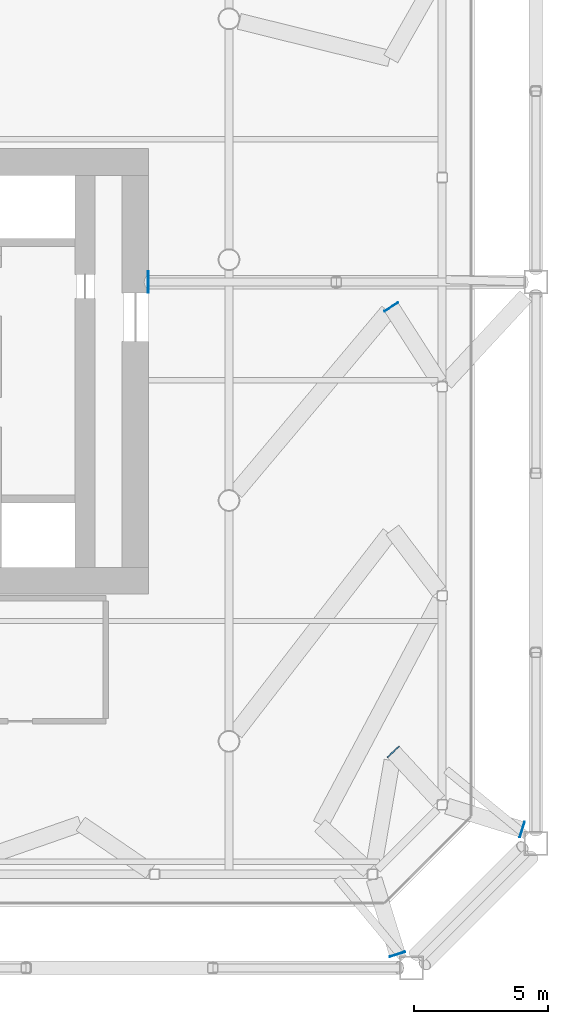
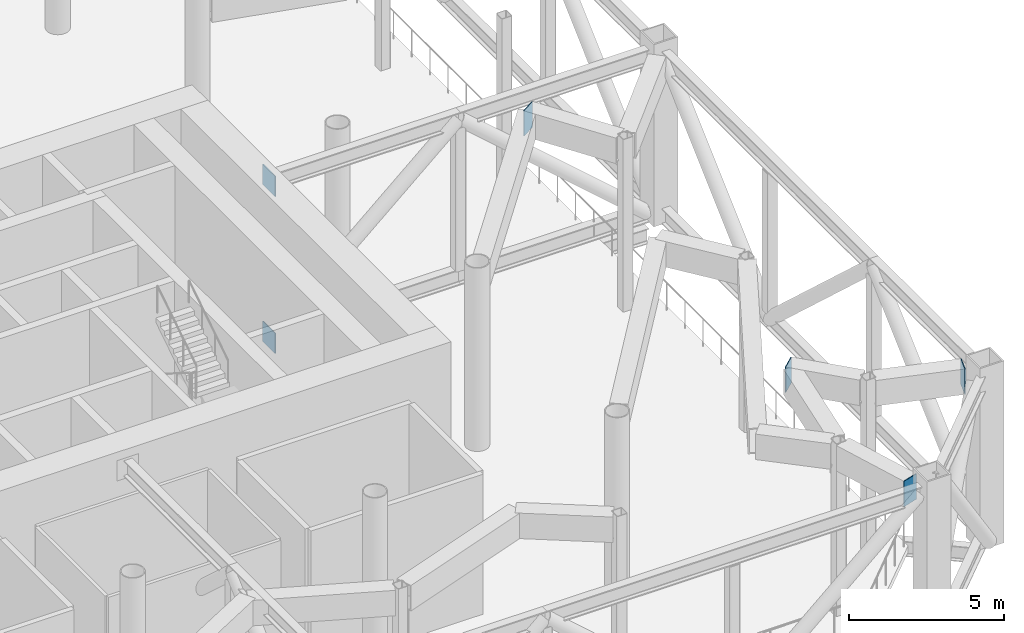
# One storey, part 9 of 20: 6 plates.
"""IFC4 building model written with IfcOpenShell, lengths in metres."""

from ifc_helpers import new_model, si_unit, direction, frame, origin, origin_2d, place, context, subcontext, project, spatial, rectangle, extrude, material, material_profile, profile_set, type_object, element, save


model = new_model("IFC4")

# Units and contexts
model_context = context("Model", 3, precision=1e-05, world=origin(), true_north=direction((0.0, 1.0)))
body_context = subcontext(model_context, "Body", "Model", "MODEL_VIEW")
ifc_project = project(units=[si_unit("LENGTHUNIT", "METRE"), si_unit("AREAUNIT", "SQUARE_METRE"), si_unit("VOLUMEUNIT", "CUBIC_METRE"), si_unit("PLANEANGLEUNIT", "RADIAN"), si_unit("MASSUNIT", "GRAM", prefix="KILO")], contexts=[model_context])

# Site, building, storey
site_placement = place(None, origin())
site = spatial("IfcSite", under=ifc_project, at=site_placement, CompositionType="ELEMENT")
building_placement = place(site_placement, origin())
building = spatial("IfcBuilding", under=site, at=building_placement, Name="Tskaro Facet Tower", CompositionType="ELEMENT")
storey_placement = place(building_placement, frame((0.0, 0.0, 114.300048828125)))
storey = spatial("IfcBuildingStorey", under=building, at=storey_placement, Name="L27", CompositionType="ELEMENT", Elevation=114.300048828125)

# Plates
ifc_material = material(Name="Steel S355J2", Category="steel")
ifc_material_profile_1 = material_profile(ifc_material, rectangle(XDim=0.60009765625, YDim=1.0, at=origin_2d()), Name="PL 600x1000x30 end plate")
ifc_profile_set_1 = profile_set([ifc_material_profile_1], Name="Steel S355J2")
plate_type_1 = type_object("IfcPlateType", Name="PL 600x1000x30 end plate", PredefinedType="SHEET", material=ifc_profile_set_1)
for number, where, z_axis, x_axis, name in (
    (1, (24.287841796875, -25.941650390625, 6.280029296875), (0.299195722174, -0.95419176261, 0.0), (0.95419176261, 0.299195722174, 0.0), "End plate CP8-11"),
    (2, (28.941650390625, -21.287841796875, 6.280029296875), (0.95419176261, -0.299195722174, 0.0), (0.299195722174, 0.95419176261, 0.0), "End plate CP8-12"),
):
    element("IfcPlate", number, at=place(storey_placement, frame(where, z_axis=z_axis, x_axis=x_axis)), inside=storey, type_object=plate_type_1, Name=name, PredefinedType="SHEET", context=body_context, shape_type="SweptSolid", body=[
        extrude(rectangle(XDim=0.60009765625, YDim=1.0, at=origin_2d()), origin(), (0.0, 0.0, 1.0), 0.0302734375),
    ])
plate_1_placement = place(storey_placement, frame((24.147705078125, -18.402587890625, 6.280029296875), z_axis=(-0.673884243496, 0.738836941664, 0.0), x_axis=(-0.738836941664, -0.673884243496, 0.0)))
element("IfcPlate", 3, at=plate_1_placement, inside=storey, type_object=plate_type_1, Name="End plate CP8-18", PredefinedType="SHEET", context=body_context, shape_type="SweptSolid", body=[
    extrude(rectangle(XDim=0.60009765625, YDim=1.0, at=origin_2d()), origin(), (0.0, 0.0, 1.0), 0.030029296875),
])
plate_2_placement = place(storey_placement, frame((24.0703125, -1.779296875, 6.280029296875), z_axis=(-0.539517548152, 0.84197435545, 0.0), x_axis=(-0.84197435545, -0.539517548152, 0.0)))
element("IfcPlate", 4, at=plate_2_placement, inside=storey, type_object=plate_type_1, Name="End plate CP8-20", PredefinedType="SHEET", context=body_context, shape_type="SweptSolid", body=[
    extrude(rectangle(XDim=0.60009765625, YDim=1.0, at=origin_2d()), origin(), (0.0, 0.0, 1.0), 0.02978515625),
])
ifc_material_profile_2 = material_profile(ifc_material, rectangle(XDim=0.800048828125, YDim=0.800048828125, at=origin_2d()), Name="PL 800x800x30 cast-in plate")
ifc_profile_set_2 = profile_set([ifc_material_profile_2], Name="Steel S355J2")
plate_type_2 = type_object("IfcPlateType", Name="PL 800x800x30 cast-in plate", PredefinedType="SHEET", material=ifc_profile_set_2)
for number, where, z_axis, x_axis, name in (
    (5, (14.969970703125, -0.8369140625, 6.469970703125), (1.0, 0.0, 0.0), (0.0, 1.0, 0.0), "Cast-in plate AP1-07"),
    (6, (14.969970703125, -0.8369140625, 0.31005859375), (1.0, 0.0, 0.0), (0.0, 1.0, 0.0), "Cast-in plate AP1-08"),
):
    element("IfcPlate", number, at=place(storey_placement, frame(where, z_axis=z_axis, x_axis=x_axis)), inside=storey, type_object=plate_type_2, Name=name, PredefinedType="SHEET", context=body_context, shape_type="SweptSolid", body=[
        extrude(rectangle(XDim=0.800048828125, YDim=0.800048828125, at=origin_2d()), origin(), (0.0, 0.0, 1.0), 0.030029296875),
    ])

save(model, "model.ifc")
